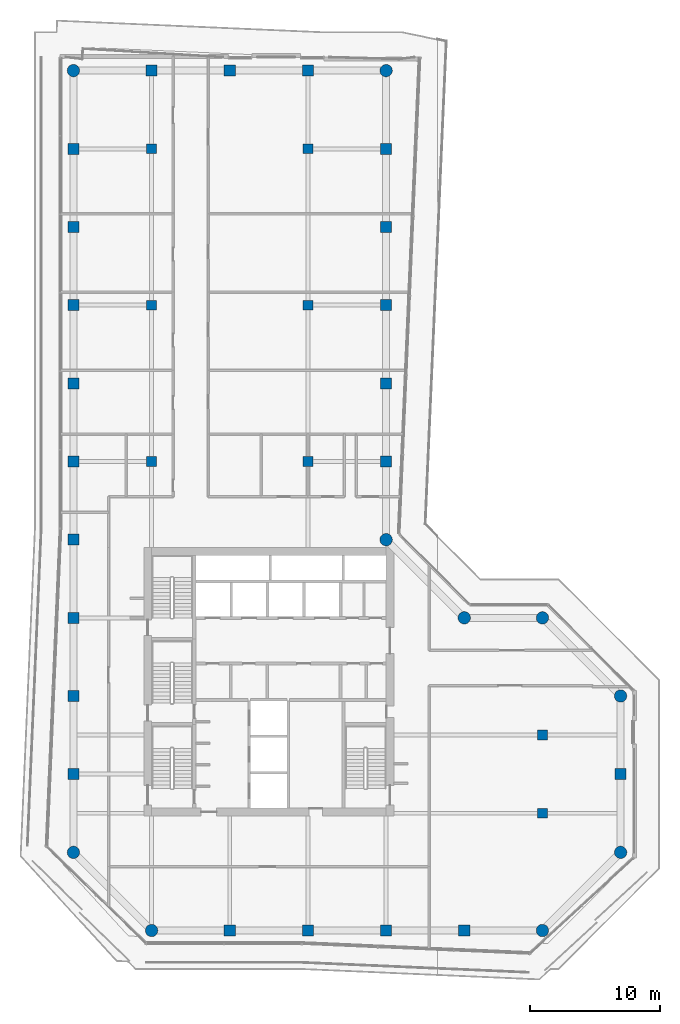
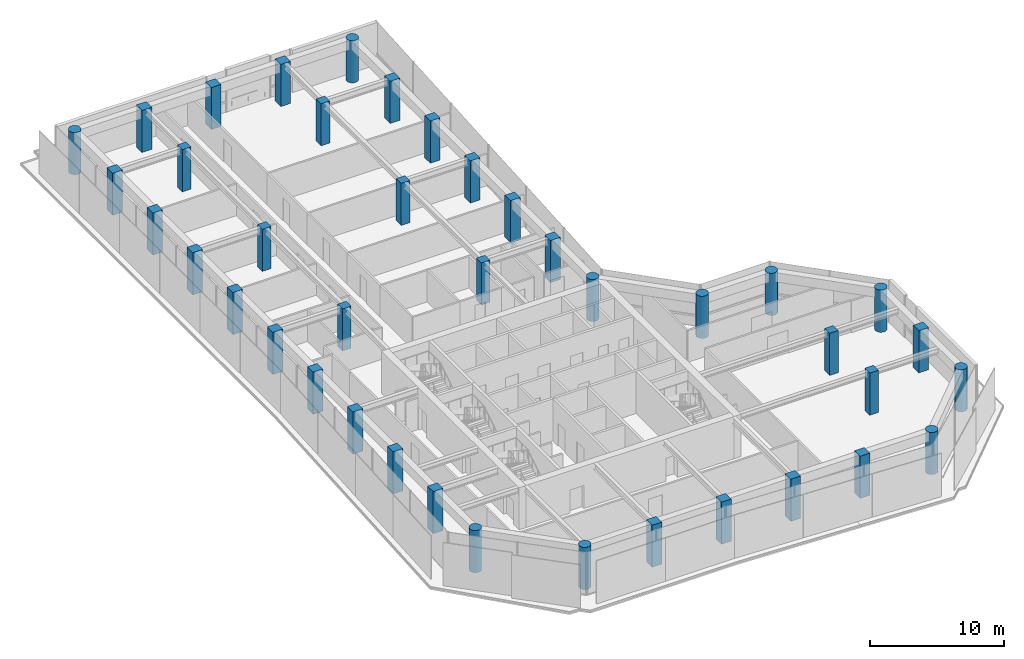
# One storey, part 1 of 21: 40 columns.
"""IFC4 building model written with IfcOpenShell, lengths in metres."""

from ifc_helpers import new_model, si_unit, direction, frame, origin, origin_2d, place, context, subcontext, project, spatial, rectangle, circle, extrude, material, material_profile, profile_set, type_object, element, save


model = new_model("IFC4")

# Units and contexts
model_context = context("Model", 3, precision=1e-05, world=origin(), true_north=direction((0.0, 1.0)))
body_context = subcontext(model_context, "Body", "Model", "MODEL_VIEW")
ifc_project = project(units=[si_unit("LENGTHUNIT", "METRE"), si_unit("AREAUNIT", "SQUARE_METRE"), si_unit("VOLUMEUNIT", "CUBIC_METRE"), si_unit("PLANEANGLEUNIT", "RADIAN"), si_unit("MASSUNIT", "GRAM", prefix="KILO")], contexts=[model_context])

# Site, building, storey
site_placement = place(None, origin())
site = spatial("IfcSite", under=ifc_project, at=site_placement, CompositionType="ELEMENT")
building_placement = place(site_placement, origin())
building = spatial("IfcBuilding", under=site, at=building_placement, Name="Welwitschia Terrace Campus", CompositionType="ELEMENT")
storey_placement = place(building_placement, frame((0.0, 0.0, 159.199951171875)))
storey = spatial("IfcBuildingStorey", under=building, at=storey_placement, Name="L35", CompositionType="ELEMENT", Elevation=159.199951171875)

# Columns
ifc_material_1 = material(Name="Concrete C50/60", Category="concrete")
ifc_material_profile_1 = material_profile(ifc_material_1, circle(Radius=0.47509765625, at=origin_2d()))
ifc_profile_set_1 = profile_set([ifc_material_profile_1], Name="Concrete C50/60")
column_type_1 = type_object("IfcColumnType", Name="Corner column 950 dia", PredefinedType="COLUMN", material=ifc_profile_set_1)
for number, where, z_axis, x_axis, name in (
    (1, (0.0, 2.0, 0.0), (0.0, 0.0, 1.0), (1.0, 0.0, 0.0), "Column C24"),
    (2, (0.0, 62.0, 0.0), (0.0, 0.0, 1.0), (1.0, 0.0, 0.0), "Column C24"),
    (3, (6.0, -4.0, 0.0), (0.0, 0.0, 1.0), (1.0, 0.0, 0.0), "Column C24"),
    (4, (24.0, 26.0, 0.0), (0.0, 0.0, 1.0), (1.0, 0.0, 0.0), "Column C24"),
    (5, (24.0, 62.0, 0.0), (0.0, 0.0, 1.0), (1.0, 0.0, 0.0), "Column C24"),
    (6, (30.0, 20.0, 0.0), (0.0, 0.0, 1.0), (1.0, 0.0, 0.0), "Column C24"),
    (7, (36.0, -4.0, 0.0), (0.0, 0.0, 1.0), (1.0, 0.0, 0.0), "Column C24"),
    (8, (36.0, 20.0, 0.0), (0.0, 0.0, 1.0), (1.0, 0.0, 0.0), "Column C24"),
    (9, (42.0, 2.0, 0.0), (0.0, 0.0, 1.0), (1.0, 0.0, 0.0), "Column C24"),
    (10, (42.0, 14.0, 0.0), (0.0, 0.0, 1.0), (1.0, 0.0, 0.0), "Column C24"),
):
    element("IfcColumn", number, at=place(storey_placement, frame(where, z_axis=z_axis, x_axis=x_axis)), inside=storey, type_object=column_type_1, Name=name, PredefinedType="COLUMN", context=body_context, shape_type="SweptSolid", body=[
        extrude(circle(Radius=0.47509765625, at=origin_2d()), origin(), (0.0, 0.0, 1.0), 3.85009765625),
    ])
ifc_material_2 = material(Name="Concrete C50/60", Category="concrete")
ifc_material_profile_2 = material_profile(ifc_material_2, rectangle(XDim=0.75, YDim=0.75, at=origin_2d()))
ifc_profile_set_2 = profile_set([ifc_material_profile_2], Name="Concrete C50/60")
column_type_2 = type_object("IfcColumnType", Name="Interior column 750x750", PredefinedType="COLUMN", material=ifc_profile_set_2)
for number, where, z_axis, x_axis, name in (
    (11, (6.0, 32.0, 0.0), (0.0, 0.0, 1.0), (1.0, 0.0, 0.0), "Column C25"),
    (12, (6.0, 44.0, 0.0), (0.0, 0.0, 1.0), (1.0, 0.0, 0.0), "Column C25"),
    (13, (6.0, 56.0, 0.0), (0.0, 0.0, 1.0), (1.0, 0.0, 0.0), "Column C25"),
    (14, (18.0, 32.0, 0.0), (0.0, 0.0, 1.0), (1.0, 0.0, 0.0), "Column C25"),
    (15, (18.0, 44.0, 0.0), (0.0, 0.0, 1.0), (1.0, 0.0, 0.0), "Column C25"),
    (16, (18.0, 56.0, 0.0), (0.0, 0.0, 1.0), (1.0, 0.0, 0.0), "Column C25"),
    (17, (36.0, 5.0, 0.0), (0.0, 0.0, 1.0), (1.0, 0.0, 0.0), "Column C25"),
    (18, (36.0, 11.0, 0.0), (0.0, 0.0, 1.0), (1.0, 0.0, 0.0), "Column C25"),
):
    element("IfcColumn", number, at=place(storey_placement, frame(where, z_axis=z_axis, x_axis=x_axis)), inside=storey, type_object=column_type_2, Name=name, PredefinedType="COLUMN", context=body_context, shape_type="SweptSolid", body=[
        extrude(rectangle(XDim=0.75, YDim=0.75, at=origin_2d()), origin(), (0.0, 0.0, 1.0), 3.85009765625),
    ])
ifc_material_3 = material(Name="Concrete C50/60", Category="concrete")
ifc_material_profile_3 = material_profile(ifc_material_3, rectangle(XDim=0.85009765625, YDim=0.85009765625, at=origin_2d()))
ifc_profile_set_3 = profile_set([ifc_material_profile_3], Name="Concrete C50/60")
column_type_3 = type_object("IfcColumnType", Name="Ring column 850x850", PredefinedType="COLUMN", material=ifc_profile_set_3)
for number, where, z_axis, x_axis, name in (
    (19, (0.0, 8.0, 0.0), (0.0, 0.0, 1.0), (1.0, 0.0, 0.0), "Column C23"),
    (20, (0.0, 14.0, 0.0), (0.0, 0.0, 1.0), (1.0, 0.0, 0.0), "Column C23"),
    (21, (0.0, 20.0, 0.0), (0.0, 0.0, 1.0), (1.0, 0.0, 0.0), "Column C23"),
    (22, (0.0, 26.0, 0.0), (0.0, 0.0, 1.0), (1.0, 0.0, 0.0), "Column C23"),
    (23, (0.0, 32.0, 0.0), (0.0, 0.0, 1.0), (1.0, 0.0, 0.0), "Column C23"),
    (24, (0.0, 38.0, 0.0), (0.0, 0.0, 1.0), (1.0, 0.0, 0.0), "Column C23"),
    (25, (0.0, 44.0, 0.0), (0.0, 0.0, 1.0), (1.0, 0.0, 0.0), "Column C23"),
    (26, (0.0, 50.0, 0.0), (0.0, 0.0, 1.0), (1.0, 0.0, 0.0), "Column C23"),
    (27, (0.0, 56.0, 0.0), (0.0, 0.0, 1.0), (1.0, 0.0, 0.0), "Column C23"),
    (28, (6.0, 62.0, 0.0), (0.0, 0.0, 1.0), (1.0, 0.0, 0.0), "Column C23"),
    (29, (12.0, -4.0, 0.0), (0.0, 0.0, 1.0), (1.0, 0.0, 0.0), "Column C23"),
    (30, (12.0, 62.0, 0.0), (0.0, 0.0, 1.0), (1.0, 0.0, 0.0), "Column C23"),
    (31, (18.0, -4.0, 0.0), (0.0, 0.0, 1.0), (1.0, 0.0, 0.0), "Column C23"),
    (32, (18.0, 62.0, 0.0), (0.0, 0.0, 1.0), (1.0, 0.0, 0.0), "Column C23"),
    (33, (24.0, -4.0, 0.0), (0.0, 0.0, 1.0), (1.0, 0.0, 0.0), "Column C23"),
    (34, (24.0, 32.0, 0.0), (0.0, 0.0, 1.0), (1.0, 0.0, 0.0), "Column C23"),
    (35, (24.0, 38.0, 0.0), (0.0, 0.0, 1.0), (1.0, 0.0, 0.0), "Column C23"),
    (36, (24.0, 44.0, 0.0), (0.0, 0.0, 1.0), (1.0, 0.0, 0.0), "Column C23"),
    (37, (24.0, 50.0, 0.0), (0.0, 0.0, 1.0), (1.0, 0.0, 0.0), "Column C23"),
    (38, (24.0, 56.0, 0.0), (0.0, 0.0, 1.0), (1.0, 0.0, 0.0), "Column C23"),
    (39, (30.0, -4.0, 0.0), (0.0, 0.0, 1.0), (1.0, 0.0, 0.0), "Column C23"),
    (40, (42.0, 8.0, 0.0), (0.0, 0.0, 1.0), (1.0, 0.0, 0.0), "Column C23"),
):
    element("IfcColumn", number, at=place(storey_placement, frame(where, z_axis=z_axis, x_axis=x_axis)), inside=storey, type_object=column_type_3, Name=name, PredefinedType="COLUMN", context=body_context, shape_type="SweptSolid", body=[
        extrude(rectangle(XDim=0.85009765625, YDim=0.85009765625, at=origin_2d()), origin(), (0.0, 0.0, 1.0), 3.85009765625),
    ])

save(model, "model.ifc")
